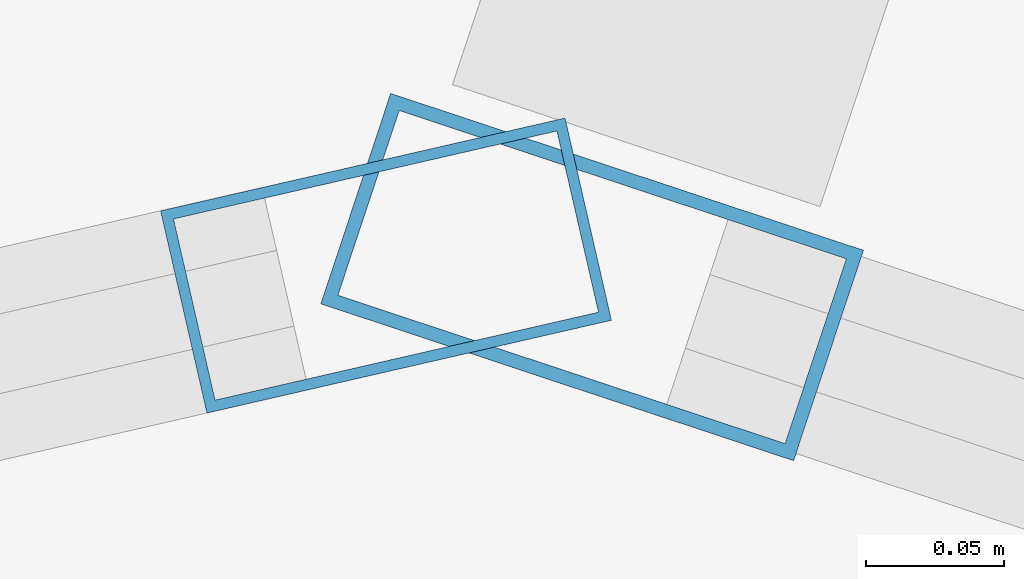
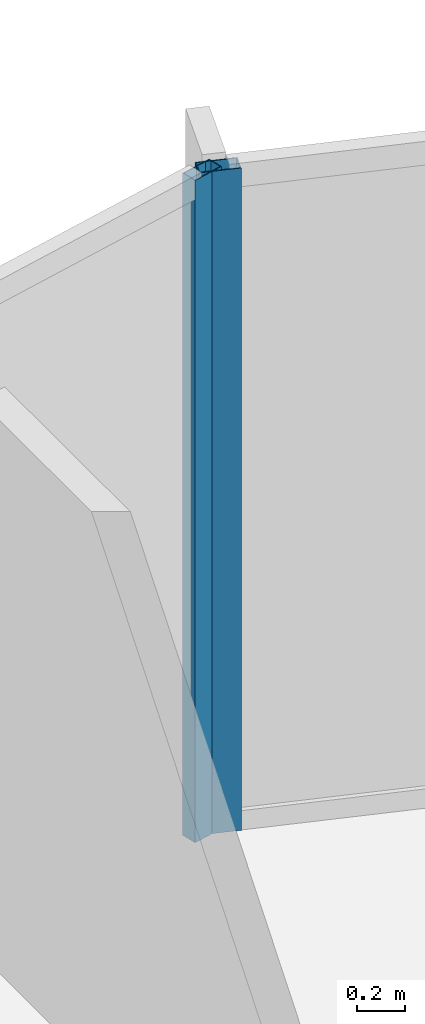
# One storey, part 22 of 34: 2 members, 2 elements without a shape of their own.
"""IFC4 building model written with IfcOpenShell, lengths in metres."""

from ifc_helpers import new_model, si_unit, direction, frame, origin, origin_2d, place, context, subcontext, project, spatial, hollow_rectangle, extrude, material, layer, layer_set, material_profile, profile_set, type_object, element, aggregate, save


model = new_model("IFC4")

# Units and contexts
model_context = context("Model", 3, precision=1e-05, world=origin(), true_north=direction((0.0, 1.0)))
body_context = subcontext(model_context, "Body", "Model", "MODEL_VIEW")
ifc_project = project(units=[si_unit("LENGTHUNIT", "METRE"), si_unit("AREAUNIT", "SQUARE_METRE"), si_unit("VOLUMEUNIT", "CUBIC_METRE"), si_unit("PLANEANGLEUNIT", "RADIAN"), si_unit("MASSUNIT", "GRAM", prefix="KILO")], contexts=[model_context])

# Site, building, storey
site_placement = place(None, origin())
site = spatial("IfcSite", under=ifc_project, at=site_placement, CompositionType="ELEMENT")
building_placement = place(site_placement, origin())
building = spatial("IfcBuilding", under=site, at=building_placement, Name="Kazevale Care Tower and Concert Hall", CompositionType="ELEMENT")
storey_placement = place(building_placement, frame((0.0, 0.0, 174.60009765625)))
storey = spatial("IfcBuildingStorey", under=building, at=storey_placement, Name="L46", CompositionType="ELEMENT", Elevation=174.60009765625)

# Curtain wall, member
ifc_material_1 = material(Name="Aluminium 6063-T6 and Low-E Glass", Category="aluminium")
ifc_layer_1 = layer(ifc_material_1, 0.179931640625)
ifc_layer_set_1 = layer_set([ifc_layer_1], Name="Aluminium 6063-T6 and Low-E Glass")
curtain_wall_type_1 = type_object("IfcCurtainWallType", Name="Convex Checkerboard Finned Curtain Wall CW-2", PredefinedType="NOTDEFINED", material=ifc_layer_set_1)
curtain_wall_1_placement = place(storey_placement, origin())
curtain_wall_1 = element("IfcCurtainWall", 1, at=curtain_wall_1_placement, inside=storey, type_object=curtain_wall_type_1, Name="cw:L46:f16", PredefinedType="NOTDEFINED")
ifc_material_2 = material(Name="Aluminium 6063-T6", Category="aluminium")
ifc_material_profile_1 = material_profile(ifc_material_2, hollow_rectangle(XDim=0.080078125, YDim=0.179931640625, WallThickness=0.0048828125, at=origin_2d()), Name="ALU80x180x5")
ifc_profile_set_1 = profile_set([ifc_material_profile_1], Name="Aluminium 6063-T6")
member_type_1 = type_object("IfcMemberType", Name="CW-2 Mullion ALU80x180x5", PredefinedType="MULLION", material=ifc_profile_set_1)
member_1_placement = place(storey_placement, frame((44.995849609375, 66.75537109375, 0.0), z_axis=(0.0, 0.0, 1.0), x_axis=(0.314868185785, 0.949135409507, 0.0)))
member_1 = element("IfcMember", 2, at=member_1_placement, type_object=member_type_1, Name="CW-2 mullion 1", PredefinedType="MULLION", context=body_context, shape_type="SweptSolid", body=[
    extrude(hollow_rectangle(XDim=0.080078125, YDim=0.179931640625, WallThickness=0.0048828125, at=origin_2d()), origin(), (0.0, 0.0, 1.0), 3.35986328125),
])
aggregate(curtain_wall_1, [member_1])

ifc_layer_2 = layer(ifc_material_1, 0.179931640625)
ifc_layer_set_2 = layer_set([ifc_layer_2], Name="Aluminium 6063-T6 and Low-E Glass")
curtain_wall_type_2 = type_object("IfcCurtainWallType", Name="Convex Recessed Sunroom Curtain Wall CW-3", PredefinedType="NOTDEFINED", material=ifc_layer_set_2)
curtain_wall_2_placement = place(storey_placement, origin())
curtain_wall_2 = element("IfcCurtainWall", 3, at=curtain_wall_2_placement, inside=storey, type_object=curtain_wall_type_2, Name="cw:L46:f15", PredefinedType="NOTDEFINED")
ifc_material_profile_2 = material_profile(ifc_material_2, hollow_rectangle(XDim=0.074951171875, YDim=0.14990234375, WallThickness=0.00390625, at=origin_2d()), Name="ALU75x150x4")
ifc_profile_set_2 = profile_set([ifc_material_profile_2], Name="Aluminium 6063-T6")
member_type_2 = type_object("IfcMemberType", Name="CW-3 Mullion ALU75x150x4", PredefinedType="MULLION", material=ifc_profile_set_2)
member_2_placement = place(storey_placement, frame((44.92138671875, 66.759521484375, 0.0), z_axis=(0.0, 0.0, 1.0), x_axis=(-0.223567329284, 0.974688488327, 0.0)))
member_2 = element("IfcMember", 4, at=member_2_placement, type_object=member_type_2, Name="CW-3 mullion 2", PredefinedType="MULLION", context=body_context, shape_type="SweptSolid", body=[
    extrude(hollow_rectangle(XDim=0.074951171875, YDim=0.14990234375, WallThickness=0.00390625, at=origin_2d()), origin(), (0.0, 0.0, 1.0), 3.35986328125),
])
aggregate(curtain_wall_2, [member_2])

save(model, "model.ifc")
